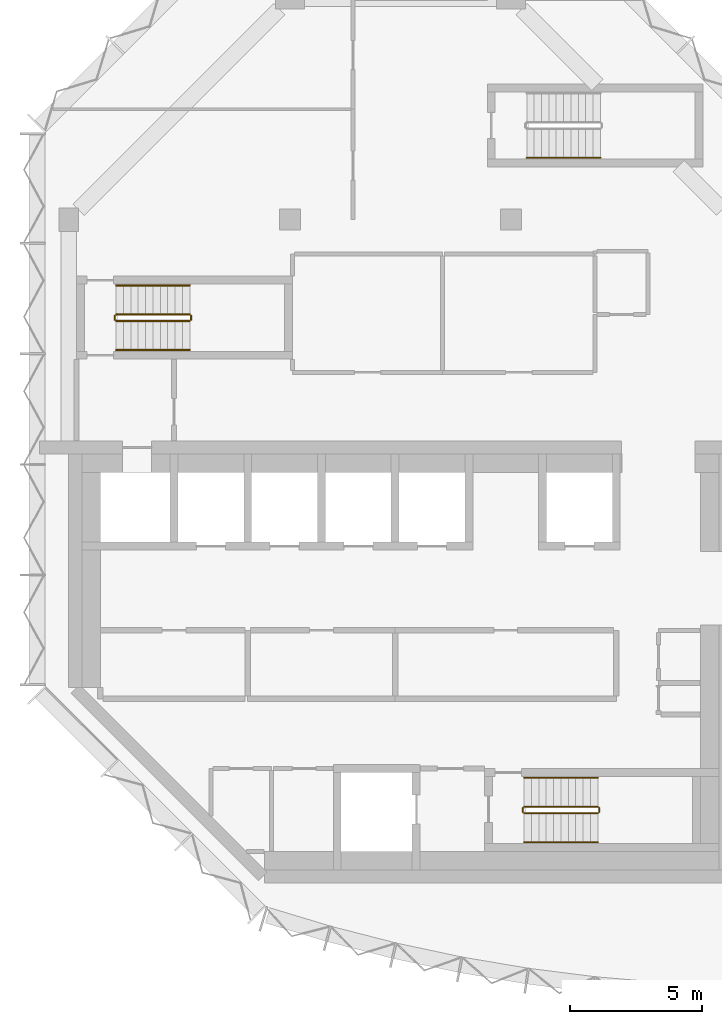
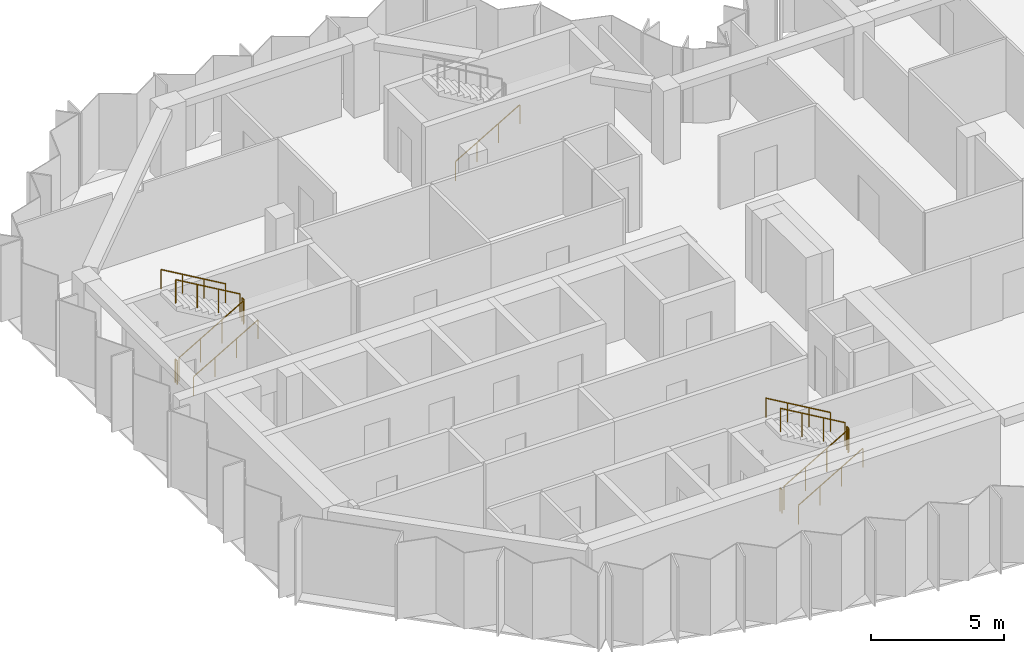
# One storey, part 9 of 10: 13 railings.
"""IFC4 building model written with IfcOpenShell, lengths in metres."""

from ifc_helpers import new_model, si_unit, direction, frame, origin, origin_2d, place, context, subcontext, project, spatial, circle, extrude, material, type_object, element, save


model = new_model("IFC4")

# Units and contexts
model_context = context("Model", 3, precision=1e-05, world=origin(), true_north=direction((0.0, 1.0)))
body_context = subcontext(model_context, "Body", "Model", "MODEL_VIEW")
ifc_project = project(units=[si_unit("LENGTHUNIT", "METRE"), si_unit("AREAUNIT", "SQUARE_METRE"), si_unit("VOLUMEUNIT", "CUBIC_METRE"), si_unit("PLANEANGLEUNIT", "RADIAN"), si_unit("MASSUNIT", "GRAM", prefix="KILO")], contexts=[model_context])

# Site, building, storey
site_placement = place(None, origin())
site = spatial("IfcSite", under=ifc_project, at=site_placement, CompositionType="ELEMENT")
building_placement = place(site_placement, origin())
building = spatial("IfcBuilding", under=site, at=building_placement, Name="Brevane Broadcast Tower", CompositionType="ELEMENT")
storey_placement = place(building_placement, frame((0.0, 0.0, 233.699951171875)))
storey = spatial("IfcBuildingStorey", under=building, at=storey_placement, Name="L59", CompositionType="ELEMENT", Elevation=233.699951171875)

# Railings
ifc_material = material(Name="Steel S355", Category="steel")
railing_type_1 = type_object("IfcRailingType", Name="Exit stair guard", PredefinedType="GUARDRAIL", material=ifc_material)
railing_1_placement = place(storey_placement, frame((1.800048828125, 21.35009765625, 0.16357421875)))
element("IfcRailing", 1, at=railing_1_placement, inside=storey, type_object=railing_type_1, Name="L59 ST-1 stair guard 1", PredefinedType="GUARDRAIL", context=body_context, shape_type="SweptSolid", body=[
    extrude(circle(Radius=0.02392578125, at=origin_2d()), frame((0.0, 0.0, 1.076171875), z_axis=(0.863360870873, 0.0, 0.504586966384), x_axis=(0.0, 1.0, 0.0)), (0.0, 0.0, 1.0), 3.2431640625),
    extrude(circle(Radius=0.02099609375, at=origin_2d()), origin(), (0.0, 0.0, 1.0), 1.052001953125),
    extrude(circle(Radius=0.02099609375, at=origin_2d()), frame((0.933349609375, 0.0, 0.54541015625)), (0.0, 0.0, 1.0), 1.052001953125),
    extrude(circle(Radius=0.02099609375, at=origin_2d()), frame((1.86669921875, 0.0, 1.091064453125)), (0.0, 0.0, 1.0), 1.052001953125),
    extrude(circle(Radius=0.02099609375, at=origin_2d()), frame((2.800048828125, 0.0, 1.636474609375)), (0.0, 0.0, 1.0), 1.052001953125),
])
railing_2_placement = place(storey_placement, frame((4.64990234375, 21.39990234375, 1.800048828125)))
element("IfcRailing", 2, at=railing_2_placement, inside=storey, type_object=railing_type_1, Name="L59 ST-1 stair guard 2", PredefinedType="GUARDRAIL", context=body_context, shape_type="SweptSolid", body=[
    extrude(circle(Radius=0.02392578125, at=origin_2d()), frame((0.0, 0.0, 1.076171875), z_axis=(0.0, 1.0, 0.0), x_axis=(-1.0, 0.0, 0.0)), (0.0, 0.0, 1.0), 0.150146484375),
    extrude(circle(Radius=0.02099609375, at=origin_2d()), origin(), (0.0, 0.0, 1.0), 1.052001953125),
    extrude(circle(Radius=0.02099609375, at=origin_2d()), frame((0.0, 0.150146484375, 0.0)), (0.0, 0.0, 1.0), 1.052001953125),
])
railing_3_placement = place(storey_placement, frame((4.60009765625, 21.60009765625, 1.963623046875)))
element("IfcRailing", 3, at=railing_3_placement, inside=storey, type_object=railing_type_1, Name="L59 ST-1 stair guard 3", PredefinedType="GUARDRAIL", context=body_context, shape_type="SweptSolid", body=[
    extrude(circle(Radius=0.02392578125, at=origin_2d()), frame((0.0, 0.0, 1.076171875), z_axis=(-0.863360870873, 0.0, 0.504586966384), x_axis=(0.0, -1.0, 0.0)), (0.0, 0.0, 1.0), 3.2431640625),
    extrude(circle(Radius=0.02099609375, at=origin_2d()), origin(), (0.0, 0.0, 1.0), 1.052001953125),
    extrude(circle(Radius=0.02099609375, at=origin_2d()), frame((-0.933349609375, 0.0, 0.54541015625)), (0.0, 0.0, 1.0), 1.052001953125),
    extrude(circle(Radius=0.02099609375, at=origin_2d()), frame((-1.86669921875, 0.0, 1.091064453125)), (0.0, 0.0, 1.0), 1.052001953125),
    extrude(circle(Radius=0.02099609375, at=origin_2d()), frame((-2.800048828125, 0.0, 1.636474609375)), (0.0, 0.0, 1.0), 1.052001953125),
])
railing_4_placement = place(storey_placement, frame((1.75, 21.39990234375, 0.0)))
element("IfcRailing", 4, at=railing_4_placement, inside=storey, type_object=railing_type_1, Name="L59 ST-1 stair guard 4", PredefinedType="GUARDRAIL", context=body_context, shape_type="SweptSolid", body=[
    extrude(circle(Radius=0.02392578125, at=origin_2d()), frame((0.0, 0.0, 1.076171875), z_axis=(0.0, 1.0, 0.0), x_axis=(-1.0, 0.0, 0.0)), (0.0, 0.0, 1.0), 0.150146484375),
    extrude(circle(Radius=0.02099609375, at=origin_2d()), origin(), (0.0, 0.0, 1.0), 1.052001953125),
    extrude(circle(Radius=0.02099609375, at=origin_2d()), frame((0.0, 0.150146484375, 0.0)), (0.0, 0.0, 1.0), 1.052001953125),
])
railing_5_placement = place(storey_placement, frame((17.300048828125, 2.64990234375, 0.16357421875)))
element("IfcRailing", 5, at=railing_5_placement, inside=storey, type_object=railing_type_1, Name="L59 ST-2 stair guard 1", PredefinedType="GUARDRAIL", context=body_context, shape_type="SweptSolid", body=[
    extrude(circle(Radius=0.02392578125, at=origin_2d()), frame((0.0, 0.0, 1.076171875), z_axis=(0.863360870873, 0.0, 0.504586966384), x_axis=(0.0, 1.0, 0.0)), (0.0, 0.0, 1.0), 3.2431640625),
    extrude(circle(Radius=0.02099609375, at=origin_2d()), origin(), (0.0, 0.0, 1.0), 1.052001953125),
    extrude(circle(Radius=0.02099609375, at=origin_2d()), frame((0.933349609375, 0.0, 0.54541015625)), (0.0, 0.0, 1.0), 1.052001953125),
    extrude(circle(Radius=0.02099609375, at=origin_2d()), frame((1.86669921875, 0.0, 1.091064453125)), (0.0, 0.0, 1.0), 1.052001953125),
    extrude(circle(Radius=0.02099609375, at=origin_2d()), frame((2.800048828125, 0.0, 1.636474609375)), (0.0, 0.0, 1.0), 1.052001953125),
])
railing_6_placement = place(storey_placement, frame((20.14990234375, 2.699951171875, 1.800048828125)))
element("IfcRailing", 6, at=railing_6_placement, inside=storey, type_object=railing_type_1, Name="L59 ST-2 stair guard 2", PredefinedType="GUARDRAIL", context=body_context, shape_type="SweptSolid", body=[
    extrude(circle(Radius=0.02392578125, at=origin_2d()), frame((0.0, 0.0, 1.076171875), z_axis=(0.0, 1.0, 0.0), x_axis=(-1.0, 0.0, 0.0)), (0.0, 0.0, 1.0), 0.150146484375),
    extrude(circle(Radius=0.02099609375, at=origin_2d()), origin(), (0.0, 0.0, 1.0), 1.052001953125),
    extrude(circle(Radius=0.02099609375, at=origin_2d()), frame((0.0, 0.150146484375, 0.0)), (0.0, 0.0, 1.0), 1.052001953125),
])
railing_7_placement = place(storey_placement, frame((20.10009765625, 2.89990234375, 1.963623046875)))
element("IfcRailing", 7, at=railing_7_placement, inside=storey, type_object=railing_type_1, Name="L59 ST-2 stair guard 3", PredefinedType="GUARDRAIL", context=body_context, shape_type="SweptSolid", body=[
    extrude(circle(Radius=0.02392578125, at=origin_2d()), frame((0.0, 0.0, 1.076171875), z_axis=(-0.863360870873, 0.0, 0.504586966384), x_axis=(0.0, -1.0, 0.0)), (0.0, 0.0, 1.0), 3.2431640625),
    extrude(circle(Radius=0.02099609375, at=origin_2d()), origin(), (0.0, 0.0, 1.0), 1.052001953125),
    extrude(circle(Radius=0.02099609375, at=origin_2d()), frame((-0.933349609375, 0.0, 0.54541015625)), (0.0, 0.0, 1.0), 1.052001953125),
    extrude(circle(Radius=0.02099609375, at=origin_2d()), frame((-1.86669921875, 0.0, 1.091064453125)), (0.0, 0.0, 1.0), 1.052001953125),
    extrude(circle(Radius=0.02099609375, at=origin_2d()), frame((-2.800048828125, 0.0, 1.636474609375)), (0.0, 0.0, 1.0), 1.052001953125),
])
railing_8_placement = place(storey_placement, frame((17.25, 2.699951171875, 0.0)))
element("IfcRailing", 8, at=railing_8_placement, inside=storey, type_object=railing_type_1, Name="L59 ST-2 stair guard 4", PredefinedType="GUARDRAIL", context=body_context, shape_type="SweptSolid", body=[
    extrude(circle(Radius=0.02392578125, at=origin_2d()), frame((0.0, 0.0, 1.076171875), z_axis=(0.0, 1.0, 0.0), x_axis=(-1.0, 0.0, 0.0)), (0.0, 0.0, 1.0), 0.150146484375),
    extrude(circle(Radius=0.02099609375, at=origin_2d()), origin(), (0.0, 0.0, 1.0), 1.052001953125),
    extrude(circle(Radius=0.02099609375, at=origin_2d()), frame((0.0, 0.150146484375, 0.0)), (0.0, 0.0, 1.0), 1.052001953125),
])
railing_type_2 = type_object("IfcRailingType", Name="Exit stair handrail", PredefinedType="HANDRAIL", material=ifc_material)
railing_9_placement = place(storey_placement, frame((1.800048828125, 20.25, 0.16357421875)))
element("IfcRailing", 9, at=railing_9_placement, inside=storey, type_object=railing_type_2, Name="L59 ST-1 stair handrail 1", PredefinedType="HANDRAIL", context=body_context, shape_type="SweptSolid", body=[
    extrude(circle(Radius=0.02392578125, at=origin_2d()), frame((0.0, 0.0, 0.8759765625), z_axis=(0.863360870873, 0.0, 0.504586966384), x_axis=(0.0, 1.0, 0.0)), (0.0, 0.0, 1.0), 3.2431640625),
    extrude(circle(Radius=0.02099609375, at=origin_2d()), origin(), (0.0, 0.0, 1.0), 0.851806640625),
    extrude(circle(Radius=0.02099609375, at=origin_2d()), frame((0.933349609375, 0.0, 0.54541015625)), (0.0, 0.0, 1.0), 0.851806640625),
    extrude(circle(Radius=0.02099609375, at=origin_2d()), frame((1.86669921875, 0.0, 1.091064453125)), (0.0, 0.0, 1.0), 0.851806640625),
    extrude(circle(Radius=0.02099609375, at=origin_2d()), frame((2.800048828125, 0.0, 1.636474609375)), (0.0, 0.0, 1.0), 0.851806640625),
])
railing_10_placement = place(storey_placement, frame((4.60009765625, 22.699951171875, 1.963623046875)))
element("IfcRailing", 10, at=railing_10_placement, inside=storey, type_object=railing_type_2, Name="L59 ST-1 stair handrail 2", PredefinedType="HANDRAIL", context=body_context, shape_type="SweptSolid", body=[
    extrude(circle(Radius=0.02392578125, at=origin_2d()), frame((0.0, 0.0, 0.8759765625), z_axis=(-0.863360870873, 0.0, 0.504586966384), x_axis=(0.0, -1.0, 0.0)), (0.0, 0.0, 1.0), 3.2431640625),
    extrude(circle(Radius=0.02099609375, at=origin_2d()), origin(), (0.0, 0.0, 1.0), 0.851806640625),
    extrude(circle(Radius=0.02099609375, at=origin_2d()), frame((-0.933349609375, 0.0, 0.54541015625)), (0.0, 0.0, 1.0), 0.851806640625),
    extrude(circle(Radius=0.02099609375, at=origin_2d()), frame((-1.86669921875, 0.0, 1.091064453125)), (0.0, 0.0, 1.0), 0.851806640625),
    extrude(circle(Radius=0.02099609375, at=origin_2d()), frame((-2.800048828125, 0.0, 1.636474609375)), (0.0, 0.0, 1.0), 0.851806640625),
])
railing_11_placement = place(storey_placement, frame((17.300048828125, 1.550048828125, 0.16357421875)))
element("IfcRailing", 11, at=railing_11_placement, inside=storey, type_object=railing_type_2, Name="L59 ST-2 stair handrail 1", PredefinedType="HANDRAIL", context=body_context, shape_type="SweptSolid", body=[
    extrude(circle(Radius=0.02392578125, at=origin_2d()), frame((0.0, 0.0, 0.8759765625), z_axis=(0.863360870873, 0.0, 0.504586966384), x_axis=(0.0, 1.0, 0.0)), (0.0, 0.0, 1.0), 3.2431640625),
    extrude(circle(Radius=0.02099609375, at=origin_2d()), origin(), (0.0, 0.0, 1.0), 0.851806640625),
    extrude(circle(Radius=0.02099609375, at=origin_2d()), frame((0.933349609375, 0.0, 0.54541015625)), (0.0, 0.0, 1.0), 0.851806640625),
    extrude(circle(Radius=0.02099609375, at=origin_2d()), frame((1.86669921875, 0.0, 1.091064453125)), (0.0, 0.0, 1.0), 0.851806640625),
    extrude(circle(Radius=0.02099609375, at=origin_2d()), frame((2.800048828125, 0.0, 1.636474609375)), (0.0, 0.0, 1.0), 0.851806640625),
])
railing_12_placement = place(storey_placement, frame((20.10009765625, 4.0, 1.963623046875)))
element("IfcRailing", 12, at=railing_12_placement, inside=storey, type_object=railing_type_2, Name="L59 ST-2 stair handrail 2", PredefinedType="HANDRAIL", context=body_context, shape_type="SweptSolid", body=[
    extrude(circle(Radius=0.02392578125, at=origin_2d()), frame((0.0, 0.0, 0.8759765625), z_axis=(-0.863360870873, 0.0, 0.504586966384), x_axis=(0.0, -1.0, 0.0)), (0.0, 0.0, 1.0), 3.2431640625),
    extrude(circle(Radius=0.02099609375, at=origin_2d()), origin(), (0.0, 0.0, 1.0), 0.851806640625),
    extrude(circle(Radius=0.02099609375, at=origin_2d()), frame((-0.933349609375, 0.0, 0.54541015625)), (0.0, 0.0, 1.0), 0.851806640625),
    extrude(circle(Radius=0.02099609375, at=origin_2d()), frame((-1.86669921875, 0.0, 1.091064453125)), (0.0, 0.0, 1.0), 0.851806640625),
    extrude(circle(Radius=0.02099609375, at=origin_2d()), frame((-2.800048828125, 0.0, 1.636474609375)), (0.0, 0.0, 1.0), 0.851806640625),
])
railing_13_placement = place(storey_placement, frame((17.39990234375, 27.550048828125, 0.16357421875)))
element("IfcRailing", 13, at=railing_13_placement, inside=storey, type_object=railing_type_2, Name="L59 ST-3 stair handrail 1", PredefinedType="HANDRAIL", context=body_context, shape_type="SweptSolid", body=[
    extrude(circle(Radius=0.02392578125, at=origin_2d()), frame((0.0, 0.0, 0.8759765625), z_axis=(0.863360870873, 0.0, 0.504586966384), x_axis=(0.0, 1.0, 0.0)), (0.0, 0.0, 1.0), 3.2431640625),
    extrude(circle(Radius=0.02099609375, at=origin_2d()), origin(), (0.0, 0.0, 1.0), 0.851806640625),
    extrude(circle(Radius=0.02099609375, at=origin_2d()), frame((0.933349609375, 0.0, 0.54541015625)), (0.0, 0.0, 1.0), 0.851806640625),
    extrude(circle(Radius=0.02099609375, at=origin_2d()), frame((1.86669921875, 0.0, 1.091064453125)), (0.0, 0.0, 1.0), 0.851806640625),
    extrude(circle(Radius=0.02099609375, at=origin_2d()), frame((2.800048828125, 0.0, 1.636474609375)), (0.0, 0.0, 1.0), 0.851806640625),
])

save(model, "model.ifc")
